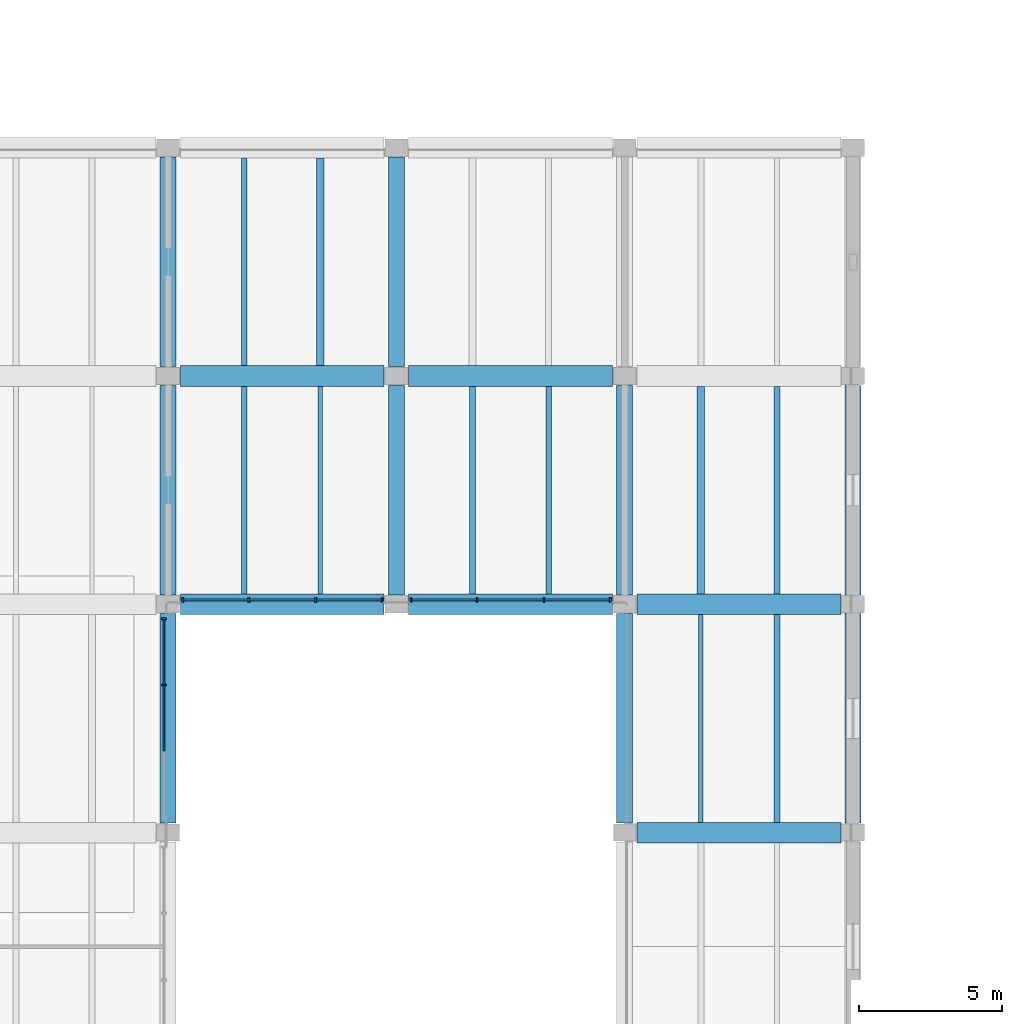
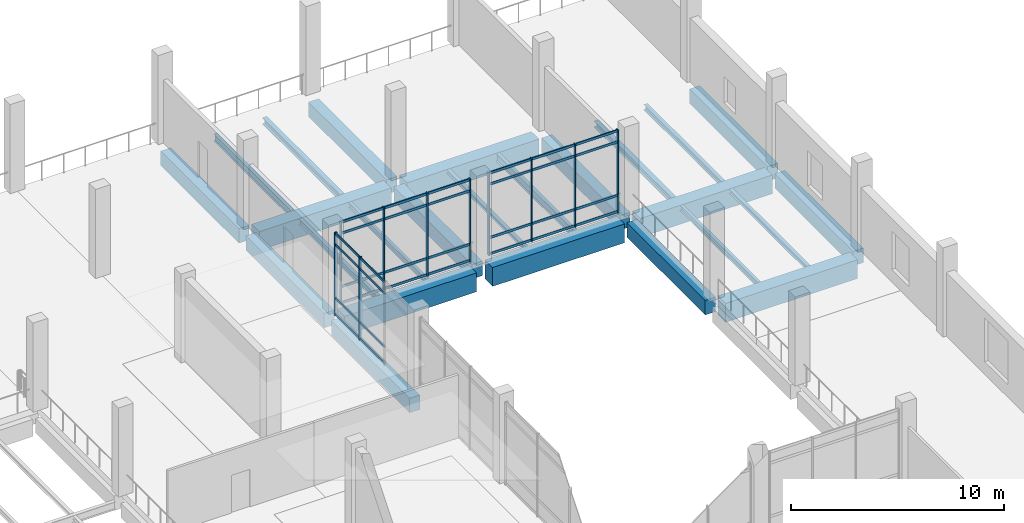
# One storey, part 25 of 61: 42 members, 25 beams, 3 elements without a shape of their own.
"""IFC4 building model written with IfcOpenShell, lengths in metres."""

from ifc_helpers import new_model, si_unit, direction, frame, origin, origin_2d, place, context, subcontext, project, spatial, rectangle, i_section, extrude, material, material_profile, profile_set, type_object, element, aggregate, save


model = new_model("IFC4")

# Units and contexts
model_context = context("Model", 3, precision=1e-05, world=origin(), true_north=direction((0.0, 1.0)))
body_context = subcontext(model_context, "Body", "Model", "MODEL_VIEW")
ifc_project = project(units=[si_unit("LENGTHUNIT", "METRE"), si_unit("AREAUNIT", "SQUARE_METRE"), si_unit("VOLUMEUNIT", "CUBIC_METRE"), si_unit("PLANEANGLEUNIT", "RADIAN"), si_unit("MASSUNIT", "GRAM", prefix="KILO")], contexts=[model_context])

# Site, building, storey
site_placement = place(None, origin())
site = spatial("IfcSite", under=ifc_project, at=site_placement, CompositionType="ELEMENT")
building_placement = place(site_placement, origin())
building = spatial("IfcBuilding", under=site, at=building_placement, Name="Pecanmere Concourse Central Library", CompositionType="ELEMENT")
storey_placement = place(building_placement, frame((0.0, 0.0, 5.39990234375)))
storey = spatial("IfcBuildingStorey", under=building, at=storey_placement, Name="L02", CompositionType="ELEMENT", Elevation=5.39990234375)

# Curtain wall, members
ifc_material_1 = material(Name="Clear anodized aluminium alloy 6063-T6", Category="aluminium")
curtain_wall_type = type_object("IfcCurtainWallType", Name="CW_CLOISTER_GLAZ", PredefinedType="USERDEFINED", material=ifc_material_1)
curtain_wall_1_placement = place(storey_placement, origin())
curtain_wall_1 = element("IfcCurtainWall", 1, at=curtain_wall_1_placement, inside=storey, type_object=curtain_wall_type, Name="Unitised Curtain Wall CW-04 L02-119", ObjectType="UNITISED CURTAIN WALL", PredefinedType="USERDEFINED")
ifc_material_2 = material(Name="Clear anodized aluminium alloy 6063-T6", Category="aluminium")
ifc_material_profile_1 = material_profile(ifc_material_2, rectangle(XDim=0.06005859375, YDim=0.14990234375, at=origin_2d()), Name="AL 60x150")
ifc_profile_set_1 = profile_set([ifc_material_profile_1], Name="Clear anodized aluminium alloy 6063-T6")
member_type_1 = type_object("IfcMemberType", Name="CWM_150x60", PredefinedType="MULLION", material=ifc_profile_set_1)
member_1_placement = place(storey_placement, frame((127.85009765625, 87.17333984375, 0.0), z_axis=(0.0, 0.0, 1.0), x_axis=(0.0, 1.0, 0.0)))
member_1 = element("IfcMember", 2, at=member_1_placement, type_object=member_type_1, Name="CW-04 Mullion 3", PredefinedType="MULLION", context=body_context, shape_type="SweptSolid", body=[
    extrude(rectangle(XDim=0.06005859375, YDim=0.14990234375, at=origin_2d()), origin(), (0.0, 0.0, 1.0), 4.760009765625),
])
member_2_placement = place(storey_placement, frame((127.85009765625, 89.489990234375, 0.0), z_axis=(0.0, 0.0, 1.0), x_axis=(0.0, 1.0, 0.0)))
member_2 = element("IfcMember", 3, at=member_2_placement, type_object=member_type_1, Name="CW-04 Mullion 4", PredefinedType="MULLION", context=body_context, shape_type="SweptSolid", body=[
    extrude(rectangle(XDim=0.06005859375, YDim=0.14990234375, at=origin_2d()), origin(), (0.0, 0.0, 1.0), 4.760009765625),
])

curtain_wall_2_placement = place(storey_placement, origin())
curtain_wall_2 = element("IfcCurtainWall", 4, at=curtain_wall_2_placement, inside=storey, type_object=curtain_wall_type, Name="Unitised Curtain Wall CW-04 L02-122", ObjectType="UNITISED CURTAIN WALL", PredefinedType="USERDEFINED")
member_3_placement = place(storey_placement, frame((135.489990234375, 90.14990234375, 0.0), z_axis=(0.0, 0.0, 1.0), x_axis=(-1.0, 0.0, 0.0)))
member_3 = element("IfcMember", 5, at=member_3_placement, type_object=member_type_1, Name="CW-04 Mullion 1", PredefinedType="MULLION", context=body_context, shape_type="SweptSolid", body=[
    extrude(rectangle(XDim=0.06005859375, YDim=0.14990234375, at=origin_2d()), origin(), (0.0, 0.0, 1.0), 4.760009765625),
])
member_4_placement = place(storey_placement, frame((133.17333984375, 90.14990234375, 0.0), z_axis=(0.0, 0.0, 1.0), x_axis=(-1.0, 0.0, 0.0)))
member_4 = element("IfcMember", 6, at=member_4_placement, type_object=member_type_1, Name="CW-04 Mullion 2", PredefinedType="MULLION", context=body_context, shape_type="SweptSolid", body=[
    extrude(rectangle(XDim=0.06005859375, YDim=0.14990234375, at=origin_2d()), origin(), (0.0, 0.0, 1.0), 4.760009765625),
])
member_5_placement = place(storey_placement, frame((130.82666015625, 90.14990234375, 0.0), z_axis=(0.0, 0.0, 1.0), x_axis=(-1.0, 0.0, 0.0)))
member_5 = element("IfcMember", 7, at=member_5_placement, type_object=member_type_1, Name="CW-04 Mullion 3", PredefinedType="MULLION", context=body_context, shape_type="SweptSolid", body=[
    extrude(rectangle(XDim=0.06005859375, YDim=0.14990234375, at=origin_2d()), origin(), (0.0, 0.0, 1.0), 4.760009765625),
])
member_6_placement = place(storey_placement, frame((128.510009765625, 90.14990234375, 0.0), z_axis=(0.0, 0.0, 1.0), x_axis=(-1.0, 0.0, 0.0)))
member_6 = element("IfcMember", 8, at=member_6_placement, type_object=member_type_1, Name="CW-04 Mullion 4", PredefinedType="MULLION", context=body_context, shape_type="SweptSolid", body=[
    extrude(rectangle(XDim=0.06005859375, YDim=0.14990234375, at=origin_2d()), origin(), (0.0, 0.0, 1.0), 4.760009765625),
])

curtain_wall_3_placement = place(storey_placement, origin())
curtain_wall_3 = element("IfcCurtainWall", 9, at=curtain_wall_3_placement, inside=storey, type_object=curtain_wall_type, Name="Unitised Curtain Wall CW-04 L02-124", ObjectType="UNITISED CURTAIN WALL", PredefinedType="USERDEFINED")
member_7_placement = place(storey_placement, frame((143.489990234375, 90.14990234375, 0.0), z_axis=(0.0, 0.0, 1.0), x_axis=(-1.0, 0.0, 0.0)))
member_7 = element("IfcMember", 10, at=member_7_placement, type_object=member_type_1, Name="CW-04 Mullion 1", PredefinedType="MULLION", context=body_context, shape_type="SweptSolid", body=[
    extrude(rectangle(XDim=0.06005859375, YDim=0.14990234375, at=origin_2d()), origin(), (0.0, 0.0, 1.0), 4.760009765625),
])
member_8_placement = place(storey_placement, frame((141.17333984375, 90.14990234375, 0.0), z_axis=(0.0, 0.0, 1.0), x_axis=(-1.0, 0.0, 0.0)))
member_8 = element("IfcMember", 11, at=member_8_placement, type_object=member_type_1, Name="CW-04 Mullion 2", PredefinedType="MULLION", context=body_context, shape_type="SweptSolid", body=[
    extrude(rectangle(XDim=0.06005859375, YDim=0.14990234375, at=origin_2d()), origin(), (0.0, 0.0, 1.0), 4.760009765625),
])
member_9_placement = place(storey_placement, frame((138.82666015625, 90.14990234375, 0.0), z_axis=(0.0, 0.0, 1.0), x_axis=(-1.0, 0.0, 0.0)))
member_9 = element("IfcMember", 12, at=member_9_placement, type_object=member_type_1, Name="CW-04 Mullion 3", PredefinedType="MULLION", context=body_context, shape_type="SweptSolid", body=[
    extrude(rectangle(XDim=0.06005859375, YDim=0.14990234375, at=origin_2d()), origin(), (0.0, 0.0, 1.0), 4.760009765625),
])
member_10_placement = place(storey_placement, frame((136.510009765625, 90.14990234375, 0.0), z_axis=(0.0, 0.0, 1.0), x_axis=(-1.0, 0.0, 0.0)))
member_10 = element("IfcMember", 13, at=member_10_placement, type_object=member_type_1, Name="CW-04 Mullion 4", PredefinedType="MULLION", context=body_context, shape_type="SweptSolid", body=[
    extrude(rectangle(XDim=0.06005859375, YDim=0.14990234375, at=origin_2d()), origin(), (0.0, 0.0, 1.0), 4.760009765625),
])

# Member
ifc_material_3 = material(Name="Clear anodized aluminium alloy 6063-T6", Category="aluminium")
ifc_material_profile_2 = material_profile(ifc_material_3, rectangle(XDim=0.054931640625, YDim=0.139892578125, at=origin_2d()), Name="AL 55x140")
ifc_profile_set_2 = profile_set([ifc_material_profile_2], Name="Clear anodized aluminium alloy 6063-T6")
member_type_2 = type_object("IfcMemberType", Name="CWT_140x55", PredefinedType="USERDEFINED", material=ifc_profile_set_2)
member_11_placement = place(storey_placement, frame((127.85009765625, 84.856689453125, 0.070068359375), z_axis=(0.0, 1.0, 0.0), x_axis=(-1.0, 0.0, 0.0)))
member_11 = element("IfcMember", 14, at=member_11_placement, type_object=member_type_2, Name="CW-04 Transom 2.1", ObjectType="TRANSOM", PredefinedType="USERDEFINED", context=body_context, shape_type="SweptSolid", body=[
    extrude(rectangle(XDim=0.054931640625, YDim=0.139892578125, at=origin_2d()), origin(), (0.0, 0.0, 1.0), 2.28662109375),
])

member_12_placement = place(storey_placement, frame((127.85009765625, 84.856689453125, 1.0), z_axis=(0.0, 1.0, 0.0), x_axis=(-1.0, 0.0, 0.0)))
member_12 = element("IfcMember", 15, at=member_12_placement, type_object=member_type_2, Name="CW-04 Transom 2.2", ObjectType="TRANSOM", PredefinedType="USERDEFINED", context=body_context, shape_type="SweptSolid", body=[
    extrude(rectangle(XDim=0.054931640625, YDim=0.139892578125, at=origin_2d()), origin(), (0.0, 0.0, 1.0), 2.28662109375),
])

member_13_placement = place(storey_placement, frame((127.85009765625, 84.856689453125, 4.06005859375), z_axis=(0.0, 1.0, 0.0), x_axis=(-1.0, 0.0, 0.0)))
member_13 = element("IfcMember", 16, at=member_13_placement, type_object=member_type_2, Name="CW-04 Transom 2.3", ObjectType="TRANSOM", PredefinedType="USERDEFINED", context=body_context, shape_type="SweptSolid", body=[
    extrude(rectangle(XDim=0.054931640625, YDim=0.139892578125, at=origin_2d()), origin(), (0.0, 0.0, 1.0), 2.28662109375),
])

member_14_placement = place(storey_placement, frame((127.85009765625, 84.856689453125, 4.690185546875), z_axis=(0.0, 1.0, 0.0), x_axis=(-1.0, 0.0, 0.0)))
member_14 = element("IfcMember", 17, at=member_14_placement, type_object=member_type_2, Name="CW-04 Transom 2.4", ObjectType="TRANSOM", PredefinedType="USERDEFINED", context=body_context, shape_type="SweptSolid", body=[
    extrude(rectangle(XDim=0.054931640625, YDim=0.139892578125, at=origin_2d()), origin(), (0.0, 0.0, 1.0), 2.28662109375),
])

member_15_placement = place(storey_placement, frame((127.85009765625, 87.203369140625, 0.070068359375), z_axis=(0.0, 1.0, 0.0), x_axis=(-1.0, 0.0, 0.0)))
member_15 = element("IfcMember", 18, at=member_15_placement, type_object=member_type_2, Name="CW-04 Transom 3.1", ObjectType="TRANSOM", PredefinedType="USERDEFINED", context=body_context, shape_type="SweptSolid", body=[
    extrude(rectangle(XDim=0.054931640625, YDim=0.139892578125, at=origin_2d()), origin(), (0.0, 0.0, 1.0), 2.256591796875),
])

member_16_placement = place(storey_placement, frame((127.85009765625, 87.203369140625, 1.0), z_axis=(0.0, 1.0, 0.0), x_axis=(-1.0, 0.0, 0.0)))
member_16 = element("IfcMember", 19, at=member_16_placement, type_object=member_type_2, Name="CW-04 Transom 3.2", ObjectType="TRANSOM", PredefinedType="USERDEFINED", context=body_context, shape_type="SweptSolid", body=[
    extrude(rectangle(XDim=0.054931640625, YDim=0.139892578125, at=origin_2d()), origin(), (0.0, 0.0, 1.0), 2.256591796875),
])

member_17_placement = place(storey_placement, frame((127.85009765625, 87.203369140625, 4.06005859375), z_axis=(0.0, 1.0, 0.0), x_axis=(-1.0, 0.0, 0.0)))
member_17 = element("IfcMember", 20, at=member_17_placement, type_object=member_type_2, Name="CW-04 Transom 3.3", ObjectType="TRANSOM", PredefinedType="USERDEFINED", context=body_context, shape_type="SweptSolid", body=[
    extrude(rectangle(XDim=0.054931640625, YDim=0.139892578125, at=origin_2d()), origin(), (0.0, 0.0, 1.0), 2.256591796875),
])

member_18_placement = place(storey_placement, frame((127.85009765625, 87.203369140625, 4.690185546875), z_axis=(0.0, 1.0, 0.0), x_axis=(-1.0, 0.0, 0.0)))
member_18 = element("IfcMember", 21, at=member_18_placement, type_object=member_type_2, Name="CW-04 Transom 3.4", ObjectType="TRANSOM", PredefinedType="USERDEFINED", context=body_context, shape_type="SweptSolid", body=[
    extrude(rectangle(XDim=0.054931640625, YDim=0.139892578125, at=origin_2d()), origin(), (0.0, 0.0, 1.0), 2.256591796875),
])

aggregate(curtain_wall_1, [member_1, member_2, member_11, member_12, member_13, member_14, member_15, member_16, member_17, member_18])

member_19_placement = place(storey_placement, frame((135.4599609375, 90.14990234375, 0.070068359375), z_axis=(-1.0, 0.0, 0.0), x_axis=(0.0, -1.0, 0.0)))
member_19 = element("IfcMember", 22, at=member_19_placement, type_object=member_type_2, Name="CW-04 Transom 1.1", ObjectType="TRANSOM", PredefinedType="USERDEFINED", context=body_context, shape_type="SweptSolid", body=[
    extrude(rectangle(XDim=0.054931640625, YDim=0.139892578125, at=origin_2d()), origin(), (0.0, 0.0, 1.0), 2.256591796875),
])

member_20_placement = place(storey_placement, frame((135.4599609375, 90.14990234375, 1.0), z_axis=(-1.0, 0.0, 0.0), x_axis=(0.0, -1.0, 0.0)))
member_20 = element("IfcMember", 23, at=member_20_placement, type_object=member_type_2, Name="CW-04 Transom 1.2", ObjectType="TRANSOM", PredefinedType="USERDEFINED", context=body_context, shape_type="SweptSolid", body=[
    extrude(rectangle(XDim=0.054931640625, YDim=0.139892578125, at=origin_2d()), origin(), (0.0, 0.0, 1.0), 2.256591796875),
])

member_21_placement = place(storey_placement, frame((135.4599609375, 90.14990234375, 4.06005859375), z_axis=(-1.0, 0.0, 0.0), x_axis=(0.0, -1.0, 0.0)))
member_21 = element("IfcMember", 24, at=member_21_placement, type_object=member_type_2, Name="CW-04 Transom 1.3", ObjectType="TRANSOM", PredefinedType="USERDEFINED", context=body_context, shape_type="SweptSolid", body=[
    extrude(rectangle(XDim=0.054931640625, YDim=0.139892578125, at=origin_2d()), origin(), (0.0, 0.0, 1.0), 2.256591796875),
])

member_22_placement = place(storey_placement, frame((135.4599609375, 90.14990234375, 4.690185546875), z_axis=(-1.0, 0.0, 0.0), x_axis=(0.0, -1.0, 0.0)))
member_22 = element("IfcMember", 25, at=member_22_placement, type_object=member_type_2, Name="CW-04 Transom 1.4", ObjectType="TRANSOM", PredefinedType="USERDEFINED", context=body_context, shape_type="SweptSolid", body=[
    extrude(rectangle(XDim=0.054931640625, YDim=0.139892578125, at=origin_2d()), origin(), (0.0, 0.0, 1.0), 2.256591796875),
])

member_23_placement = place(storey_placement, frame((133.143310546875, 90.14990234375, 0.070068359375), z_axis=(-1.0, 0.0, 0.0), x_axis=(0.0, -1.0, 0.0)))
member_23 = element("IfcMember", 26, at=member_23_placement, type_object=member_type_2, Name="CW-04 Transom 2.1", ObjectType="TRANSOM", PredefinedType="USERDEFINED", context=body_context, shape_type="SweptSolid", body=[
    extrude(rectangle(XDim=0.054931640625, YDim=0.139892578125, at=origin_2d()), origin(), (0.0, 0.0, 1.0), 2.28662109375),
])

member_24_placement = place(storey_placement, frame((133.143310546875, 90.14990234375, 1.0), z_axis=(-1.0, 0.0, 0.0), x_axis=(0.0, -1.0, 0.0)))
member_24 = element("IfcMember", 27, at=member_24_placement, type_object=member_type_2, Name="CW-04 Transom 2.2", ObjectType="TRANSOM", PredefinedType="USERDEFINED", context=body_context, shape_type="SweptSolid", body=[
    extrude(rectangle(XDim=0.054931640625, YDim=0.139892578125, at=origin_2d()), origin(), (0.0, 0.0, 1.0), 2.28662109375),
])

member_25_placement = place(storey_placement, frame((133.143310546875, 90.14990234375, 4.06005859375), z_axis=(-1.0, 0.0, 0.0), x_axis=(0.0, -1.0, 0.0)))
member_25 = element("IfcMember", 28, at=member_25_placement, type_object=member_type_2, Name="CW-04 Transom 2.3", ObjectType="TRANSOM", PredefinedType="USERDEFINED", context=body_context, shape_type="SweptSolid", body=[
    extrude(rectangle(XDim=0.054931640625, YDim=0.139892578125, at=origin_2d()), origin(), (0.0, 0.0, 1.0), 2.28662109375),
])

member_26_placement = place(storey_placement, frame((133.143310546875, 90.14990234375, 4.690185546875), z_axis=(-1.0, 0.0, 0.0), x_axis=(0.0, -1.0, 0.0)))
member_26 = element("IfcMember", 29, at=member_26_placement, type_object=member_type_2, Name="CW-04 Transom 2.4", ObjectType="TRANSOM", PredefinedType="USERDEFINED", context=body_context, shape_type="SweptSolid", body=[
    extrude(rectangle(XDim=0.054931640625, YDim=0.139892578125, at=origin_2d()), origin(), (0.0, 0.0, 1.0), 2.28662109375),
])

member_27_placement = place(storey_placement, frame((130.796630859375, 90.14990234375, 0.070068359375), z_axis=(-1.0, 0.0, 0.0), x_axis=(0.0, -1.0, 0.0)))
member_27 = element("IfcMember", 30, at=member_27_placement, type_object=member_type_2, Name="CW-04 Transom 3.1", ObjectType="TRANSOM", PredefinedType="USERDEFINED", context=body_context, shape_type="SweptSolid", body=[
    extrude(rectangle(XDim=0.054931640625, YDim=0.139892578125, at=origin_2d()), origin(), (0.0, 0.0, 1.0), 2.256591796875),
])

member_28_placement = place(storey_placement, frame((130.796630859375, 90.14990234375, 1.0), z_axis=(-1.0, 0.0, 0.0), x_axis=(0.0, -1.0, 0.0)))
member_28 = element("IfcMember", 31, at=member_28_placement, type_object=member_type_2, Name="CW-04 Transom 3.2", ObjectType="TRANSOM", PredefinedType="USERDEFINED", context=body_context, shape_type="SweptSolid", body=[
    extrude(rectangle(XDim=0.054931640625, YDim=0.139892578125, at=origin_2d()), origin(), (0.0, 0.0, 1.0), 2.256591796875),
])

member_29_placement = place(storey_placement, frame((130.796630859375, 90.14990234375, 4.06005859375), z_axis=(-1.0, 0.0, 0.0), x_axis=(0.0, -1.0, 0.0)))
member_29 = element("IfcMember", 32, at=member_29_placement, type_object=member_type_2, Name="CW-04 Transom 3.3", ObjectType="TRANSOM", PredefinedType="USERDEFINED", context=body_context, shape_type="SweptSolid", body=[
    extrude(rectangle(XDim=0.054931640625, YDim=0.139892578125, at=origin_2d()), origin(), (0.0, 0.0, 1.0), 2.256591796875),
])

member_30_placement = place(storey_placement, frame((130.796630859375, 90.14990234375, 4.690185546875), z_axis=(-1.0, 0.0, 0.0), x_axis=(0.0, -1.0, 0.0)))
member_30 = element("IfcMember", 33, at=member_30_placement, type_object=member_type_2, Name="CW-04 Transom 3.4", ObjectType="TRANSOM", PredefinedType="USERDEFINED", context=body_context, shape_type="SweptSolid", body=[
    extrude(rectangle(XDim=0.054931640625, YDim=0.139892578125, at=origin_2d()), origin(), (0.0, 0.0, 1.0), 2.256591796875),
])

aggregate(curtain_wall_2, [member_3, member_4, member_5, member_6, member_19, member_20, member_21, member_22, member_23, member_24, member_25, member_26, member_27, member_28, member_29, member_30])

member_31_placement = place(storey_placement, frame((143.4599609375, 90.14990234375, 0.070068359375), z_axis=(-1.0, 0.0, 0.0), x_axis=(0.0, -1.0, 0.0)))
member_31 = element("IfcMember", 34, at=member_31_placement, type_object=member_type_2, Name="CW-04 Transom 1.1", ObjectType="TRANSOM", PredefinedType="USERDEFINED", context=body_context, shape_type="SweptSolid", body=[
    extrude(rectangle(XDim=0.054931640625, YDim=0.139892578125, at=origin_2d()), origin(), (0.0, 0.0, 1.0), 2.256591796875),
])

member_32_placement = place(storey_placement, frame((143.4599609375, 90.14990234375, 1.0), z_axis=(-1.0, 0.0, 0.0), x_axis=(0.0, -1.0, 0.0)))
member_32 = element("IfcMember", 35, at=member_32_placement, type_object=member_type_2, Name="CW-04 Transom 1.2", ObjectType="TRANSOM", PredefinedType="USERDEFINED", context=body_context, shape_type="SweptSolid", body=[
    extrude(rectangle(XDim=0.054931640625, YDim=0.139892578125, at=origin_2d()), origin(), (0.0, 0.0, 1.0), 2.256591796875),
])

member_33_placement = place(storey_placement, frame((143.4599609375, 90.14990234375, 4.06005859375), z_axis=(-1.0, 0.0, 0.0), x_axis=(0.0, -1.0, 0.0)))
member_33 = element("IfcMember", 36, at=member_33_placement, type_object=member_type_2, Name="CW-04 Transom 1.3", ObjectType="TRANSOM", PredefinedType="USERDEFINED", context=body_context, shape_type="SweptSolid", body=[
    extrude(rectangle(XDim=0.054931640625, YDim=0.139892578125, at=origin_2d()), origin(), (0.0, 0.0, 1.0), 2.256591796875),
])

member_34_placement = place(storey_placement, frame((143.4599609375, 90.14990234375, 4.690185546875), z_axis=(-1.0, 0.0, 0.0), x_axis=(0.0, -1.0, 0.0)))
member_34 = element("IfcMember", 37, at=member_34_placement, type_object=member_type_2, Name="CW-04 Transom 1.4", ObjectType="TRANSOM", PredefinedType="USERDEFINED", context=body_context, shape_type="SweptSolid", body=[
    extrude(rectangle(XDim=0.054931640625, YDim=0.139892578125, at=origin_2d()), origin(), (0.0, 0.0, 1.0), 2.256591796875),
])

member_35_placement = place(storey_placement, frame((141.143310546875, 90.14990234375, 0.070068359375), z_axis=(-1.0, 0.0, 0.0), x_axis=(0.0, -1.0, 0.0)))
member_35 = element("IfcMember", 38, at=member_35_placement, type_object=member_type_2, Name="CW-04 Transom 2.1", ObjectType="TRANSOM", PredefinedType="USERDEFINED", context=body_context, shape_type="SweptSolid", body=[
    extrude(rectangle(XDim=0.054931640625, YDim=0.139892578125, at=origin_2d()), origin(), (0.0, 0.0, 1.0), 2.28662109375),
])

member_36_placement = place(storey_placement, frame((141.143310546875, 90.14990234375, 1.0), z_axis=(-1.0, 0.0, 0.0), x_axis=(0.0, -1.0, 0.0)))
member_36 = element("IfcMember", 39, at=member_36_placement, type_object=member_type_2, Name="CW-04 Transom 2.2", ObjectType="TRANSOM", PredefinedType="USERDEFINED", context=body_context, shape_type="SweptSolid", body=[
    extrude(rectangle(XDim=0.054931640625, YDim=0.139892578125, at=origin_2d()), origin(), (0.0, 0.0, 1.0), 2.28662109375),
])

member_37_placement = place(storey_placement, frame((141.143310546875, 90.14990234375, 4.06005859375), z_axis=(-1.0, 0.0, 0.0), x_axis=(0.0, -1.0, 0.0)))
member_37 = element("IfcMember", 40, at=member_37_placement, type_object=member_type_2, Name="CW-04 Transom 2.3", ObjectType="TRANSOM", PredefinedType="USERDEFINED", context=body_context, shape_type="SweptSolid", body=[
    extrude(rectangle(XDim=0.054931640625, YDim=0.139892578125, at=origin_2d()), origin(), (0.0, 0.0, 1.0), 2.28662109375),
])

member_38_placement = place(storey_placement, frame((141.143310546875, 90.14990234375, 4.690185546875), z_axis=(-1.0, 0.0, 0.0), x_axis=(0.0, -1.0, 0.0)))
member_38 = element("IfcMember", 41, at=member_38_placement, type_object=member_type_2, Name="CW-04 Transom 2.4", ObjectType="TRANSOM", PredefinedType="USERDEFINED", context=body_context, shape_type="SweptSolid", body=[
    extrude(rectangle(XDim=0.054931640625, YDim=0.139892578125, at=origin_2d()), origin(), (0.0, 0.0, 1.0), 2.28662109375),
])

member_39_placement = place(storey_placement, frame((138.796630859375, 90.14990234375, 0.070068359375), z_axis=(-1.0, 0.0, 0.0), x_axis=(0.0, -1.0, 0.0)))
member_39 = element("IfcMember", 42, at=member_39_placement, type_object=member_type_2, Name="CW-04 Transom 3.1", ObjectType="TRANSOM", PredefinedType="USERDEFINED", context=body_context, shape_type="SweptSolid", body=[
    extrude(rectangle(XDim=0.054931640625, YDim=0.139892578125, at=origin_2d()), origin(), (0.0, 0.0, 1.0), 2.256591796875),
])

member_40_placement = place(storey_placement, frame((138.796630859375, 90.14990234375, 1.0), z_axis=(-1.0, 0.0, 0.0), x_axis=(0.0, -1.0, 0.0)))
member_40 = element("IfcMember", 43, at=member_40_placement, type_object=member_type_2, Name="CW-04 Transom 3.2", ObjectType="TRANSOM", PredefinedType="USERDEFINED", context=body_context, shape_type="SweptSolid", body=[
    extrude(rectangle(XDim=0.054931640625, YDim=0.139892578125, at=origin_2d()), origin(), (0.0, 0.0, 1.0), 2.256591796875),
])

member_41_placement = place(storey_placement, frame((138.796630859375, 90.14990234375, 4.06005859375), z_axis=(-1.0, 0.0, 0.0), x_axis=(0.0, -1.0, 0.0)))
member_41 = element("IfcMember", 44, at=member_41_placement, type_object=member_type_2, Name="CW-04 Transom 3.3", ObjectType="TRANSOM", PredefinedType="USERDEFINED", context=body_context, shape_type="SweptSolid", body=[
    extrude(rectangle(XDim=0.054931640625, YDim=0.139892578125, at=origin_2d()), origin(), (0.0, 0.0, 1.0), 2.256591796875),
])

member_42_placement = place(storey_placement, frame((138.796630859375, 90.14990234375, 4.690185546875), z_axis=(-1.0, 0.0, 0.0), x_axis=(0.0, -1.0, 0.0)))
member_42 = element("IfcMember", 45, at=member_42_placement, type_object=member_type_2, Name="CW-04 Transom 3.4", ObjectType="TRANSOM", PredefinedType="USERDEFINED", context=body_context, shape_type="SweptSolid", body=[
    extrude(rectangle(XDim=0.054931640625, YDim=0.139892578125, at=origin_2d()), origin(), (0.0, 0.0, 1.0), 2.256591796875),
])

aggregate(curtain_wall_3, [member_7, member_8, member_9, member_10, member_31, member_32, member_33, member_34, member_35, member_36, member_37, member_38, member_39, member_40, member_41, member_42])

# Beams
ifc_material_4 = material(Name="Concrete C40/50", Category="concrete")
ifc_material_profile_3 = material_profile(ifc_material_4, rectangle(XDim=0.56005859375, YDim=0.830078125, at=origin_2d()), Name="RC 560x830")
ifc_profile_set_3 = profile_set([ifc_material_profile_3], Name="Concrete C40/50")
beam_type_1 = type_object("IfcBeamType", Name="GRD_560x830", PredefinedType="USERDEFINED", material=ifc_profile_set_3)
for number, where, z_axis, x_axis, name in (
    (46, (128.0, 82.330078125, -0.784912109375), (0.0, 1.0, 0.0), (-1.0, 0.0, 0.0), "Primary Girder Y L02-1114"),
    (47, (128.0, 90.330078125, -0.784912109375), (0.0, 1.0, 0.0), (-1.0, 0.0, 0.0), "Primary Girder Y L02-1115"),
    (48, (128.0, 98.330078125, -0.784912109375), (0.0, 1.0, 0.0), (-1.0, 0.0, 0.0), "Primary Girder Y L02-1116"),
    (49, (136.0, 90.330078125, -0.784912109375), (0.0, 1.0, 0.0), (-1.0, 0.0, 0.0), "Primary Girder Y L02-1123"),
    (50, (136.0, 98.330078125, -0.784912109375), (0.0, 1.0, 0.0), (-1.0, 0.0, 0.0), "Primary Girder Y L02-1124"),
    (51, (144.0, 82.330078125, -0.784912109375), (0.0, 1.0, 0.0), (-1.0, 0.0, 0.0), "Primary Girder Y L02-1133"),
    (52, (144.0, 90.330078125, -0.784912109375), (0.0, 1.0, 0.0), (-1.0, 0.0, 0.0), "Primary Girder Y L02-1134"),
    (53, (152.0, 82.330078125, -0.784912109375), (0.0, 1.0, 0.0), (-1.0, 0.0, 0.0), "Primary Girder Y L02-1144"),
    (54, (152.0, 90.330078125, -0.784912109375), (0.0, 1.0, 0.0), (-1.0, 0.0, 0.0), "Primary Girder Y L02-1145"),
):
    element("IfcBeam", number, at=place(storey_placement, frame(where, z_axis=z_axis, x_axis=x_axis)), inside=storey, type_object=beam_type_1, Name=name, ObjectType="GIRDER", PredefinedType="USERDEFINED", context=body_context, shape_type="SweptSolid", body=[
        extrude(rectangle(XDim=0.56005859375, YDim=0.830078125, at=origin_2d()), origin(), (0.0, 0.0, 1.0), 7.33984375),
    ])
ifc_material_5 = material(Name="Concrete C40/50", Category="concrete")
ifc_material_profile_4 = material_profile(ifc_material_5, rectangle(XDim=0.719970703125, YDim=1.080078125, at=origin_2d()), Name="RC 720x1080")
ifc_profile_set_4 = profile_set([ifc_material_profile_4], Name="Concrete C40/50")
beam_type_2 = type_object("IfcBeamType", Name="GRD_720x1080", PredefinedType="USERDEFINED", material=ifc_profile_set_4)
for number, where, z_axis, x_axis, name in (
    (55, (144.429931640625, 82.0, -0.909912109375), (1.0, 0.0, 0.0), (0.0, 1.0, 0.0), "Primary Girder X L02-0908"),
    (56, (128.429931640625, 90.0, -0.909912109375), (1.0, 0.0, 0.0), (0.0, 1.0, 0.0), "Primary Girder X L02-0922"),
    (57, (136.429931640625, 90.0, -0.909912109375), (1.0, 0.0, 0.0), (0.0, 1.0, 0.0), "Primary Girder X L02-0923"),
    (58, (144.429931640625, 90.0, -0.909912109375), (1.0, 0.0, 0.0), (0.0, 1.0, 0.0), "Primary Girder X L02-0924"),
    (59, (128.429931640625, 98.0, -0.909912109375), (1.0, 0.0, 0.0), (0.0, 1.0, 0.0), "Primary Girder X L02-0938"),
    (60, (136.429931640625, 98.0, -0.909912109375), (1.0, 0.0, 0.0), (0.0, 1.0, 0.0), "Primary Girder X L02-0939"),
):
    element("IfcBeam", number, at=place(storey_placement, frame(where, z_axis=z_axis, x_axis=x_axis)), inside=storey, type_object=beam_type_2, Name=name, ObjectType="GIRDER", PredefinedType="USERDEFINED", context=body_context, shape_type="SweptSolid", body=[
        extrude(rectangle(XDim=0.719970703125, YDim=1.080078125, at=origin_2d()), origin(), (0.0, 0.0, 1.0), 7.14013671875),
    ])
ifc_material_6 = material(Name="Structural steel ASTM A992 Grade 50", Category="steel")
ifc_material_profile_5 = material_profile(ifc_material_6, i_section(OverallWidth=0.2041015625, OverallDepth=0.2060546875, WebThickness=0.0078125, FlangeThickness=0.0126953125, at=origin_2d()), Name="W200x52")
ifc_profile_set_5 = profile_set([ifc_material_profile_5], Name="Structural steel ASTM A992 Grade 50")
beam_type_3 = type_object("IfcBeamType", Name="SBM_W200x52", PredefinedType="JOIST", material=ifc_profile_set_5)
beam_1_placement = place(storey_placement, frame((138.666748046875, 90.360107421875, -0.472900390625), z_axis=(0.0, 1.0, 0.0), x_axis=(-1.0, 0.0, 0.0)))
element("IfcBeam", 61, at=beam_1_placement, inside=storey, type_object=beam_type_3, Name="Secondary Floor Joist L02-1422", PredefinedType="JOIST", context=body_context, shape_type="SweptSolid", body=[
    extrude(i_section(OverallWidth=0.2041015625, OverallDepth=0.2060546875, WebThickness=0.0078125, FlangeThickness=0.0126953125, at=origin_2d()), origin(), (0.0, 0.0, 1.0), 7.27978515625),
])
ifc_material_7 = material(Name="Structural steel ASTM A992 Grade 50", Category="steel")
ifc_material_profile_6 = material_profile(ifc_material_7, i_section(OverallWidth=0.201904296875, OverallDepth=0.2470703125, WebThickness=0.00732421875, FlangeThickness=0.010986328125, at=origin_2d()), Name="W250x49.1")
ifc_profile_set_6 = profile_set([ifc_material_profile_6], Name="Structural steel ASTM A992 Grade 50")
beam_type_4 = type_object("IfcBeamType", Name="SBM_W250x49", PredefinedType="JOIST", material=ifc_profile_set_6)
beam_2_placement = place(storey_placement, frame((149.333251953125, 82.360107421875, -0.493408203125), z_axis=(0.0, 1.0, 0.0), x_axis=(-1.0, 0.0, 0.0)))
element("IfcBeam", 62, at=beam_2_placement, inside=storey, type_object=beam_type_4, Name="Secondary Floor Joist L02-1443", PredefinedType="JOIST", context=body_context, shape_type="SweptSolid", body=[
    extrude(i_section(OverallWidth=0.201904296875, OverallDepth=0.2470703125, WebThickness=0.00732421875, FlangeThickness=0.010986328125, at=origin_2d()), origin(), (0.0, 0.0, 1.0), 7.27978515625),
])
ifc_material_8 = material(Name="Structural steel ASTM A992 Grade 50", Category="steel")
ifc_material_profile_7 = material_profile(ifc_material_8, i_section(OverallWidth=0.1669921875, OverallDepth=0.31689453125, WebThickness=0.007568359375, FlangeThickness=0.01318359375, at=origin_2d()), Name="W310x52")
ifc_profile_set_7 = profile_set([ifc_material_profile_7], Name="Structural steel ASTM A992 Grade 50")
beam_type_5 = type_object("IfcBeamType", Name="SBM_W310x52", PredefinedType="JOIST", material=ifc_profile_set_7)
for number, where, z_axis, x_axis, name in (
    (63, (133.333251953125, 90.360107421875, -0.5283203125), (0.0, 1.0, 0.0), (-1.0, 0.0, 0.0), "Secondary Floor Joist L02-1407"),
    (64, (146.666748046875, 82.360107421875, -0.5283203125), (0.0, 1.0, 0.0), (-1.0, 0.0, 0.0), "Secondary Floor Joist L02-1442"),
):
    element("IfcBeam", number, at=place(storey_placement, frame(where, z_axis=z_axis, x_axis=x_axis)), inside=storey, type_object=beam_type_5, Name=name, PredefinedType="JOIST", context=body_context, shape_type="SweptSolid", body=[
        extrude(i_section(OverallWidth=0.1669921875, OverallDepth=0.31689453125, WebThickness=0.007568359375, FlangeThickness=0.01318359375, at=origin_2d()), origin(), (0.0, 0.0, 1.0), 7.27978515625),
    ])
ifc_material_9 = material(Name="Structural steel ASTM A992 Grade 50", Category="steel")
ifc_material_profile_8 = material_profile(ifc_material_9, i_section(OverallWidth=0.205078125, OverallDepth=0.31005859375, WebThickness=0.009521484375, FlangeThickness=0.016357421875, at=origin_2d()), Name="W310x74")
ifc_profile_set_8 = profile_set([ifc_material_profile_8], Name="Structural steel ASTM A992 Grade 50")
beam_type_6 = type_object("IfcBeamType", Name="SBM_W310x74", PredefinedType="BEAM", material=ifc_profile_set_8)
beam_3_placement = place(storey_placement, frame((149.333251953125, 90.360107421875, -0.52490234375), z_axis=(0.0, 1.0, 0.0), x_axis=(-1.0, 0.0, 0.0)))
element("IfcBeam", 65, at=beam_3_placement, inside=storey, type_object=beam_type_6, Name="Secondary Floor Joist L02-1445", PredefinedType="BEAM", context=body_context, shape_type="SweptSolid", body=[
    extrude(i_section(OverallWidth=0.205078125, OverallDepth=0.31005859375, WebThickness=0.009521484375, FlangeThickness=0.016357421875, at=origin_2d()), origin(), (0.0, 0.0, 1.0), 7.27978515625),
])
ifc_material_10 = material(Name="Structural steel ASTM A992 Grade 50", Category="steel")
ifc_material_profile_9 = material_profile(ifc_material_10, i_section(OverallWidth=0.202880859375, OverallDepth=0.346923828125, WebThickness=0.0078125, FlangeThickness=0.013427734375, at=origin_2d()), Name="W360x64")
ifc_profile_set_9 = profile_set([ifc_material_profile_9], Name="Structural steel ASTM A992 Grade 50")
beam_type_7 = type_object("IfcBeamType", Name="SBM_W360x64", PredefinedType="JOIST", material=ifc_profile_set_9)
beam_4_placement = place(storey_placement, frame((130.666748046875, 90.360107421875, -0.54345703125), z_axis=(0.0, 1.0, 0.0), x_axis=(-1.0, 0.0, 0.0)))
element("IfcBeam", 66, at=beam_4_placement, inside=storey, type_object=beam_type_7, Name="Secondary Floor Joist L02-1406", PredefinedType="JOIST", context=body_context, shape_type="SweptSolid", body=[
    extrude(i_section(OverallWidth=0.202880859375, OverallDepth=0.346923828125, WebThickness=0.0078125, FlangeThickness=0.013427734375, at=origin_2d()), origin(), (0.0, 0.0, 1.0), 7.27978515625),
])
ifc_material_11 = material(Name="Structural steel ASTM A992 Grade 50", Category="steel")
ifc_material_profile_10 = material_profile(ifc_material_11, i_section(OverallWidth=0.25390625, OverallDepth=0.35302734375, WebThickness=0.009521484375, FlangeThickness=0.016357421875, at=origin_2d()), Name="W360x91")
ifc_profile_set_10 = profile_set([ifc_material_profile_10], Name="Structural steel ASTM A992 Grade 50")
beam_type_8 = type_object("IfcBeamType", Name="SBM_W360x91", PredefinedType="BEAM", material=ifc_profile_set_10)
for number, where, z_axis, x_axis, name in (
    (67, (133.333251953125, 98.360107421875, -0.54638671875), (0.0, 1.0, 0.0), (-1.0, 0.0, 0.0), "Secondary Floor Joist L02-1409"),
    (68, (146.666748046875, 90.360107421875, -0.54638671875), (0.0, 1.0, 0.0), (-1.0, 0.0, 0.0), "Secondary Floor Joist L02-1444"),
):
    element("IfcBeam", number, at=place(storey_placement, frame(where, z_axis=z_axis, x_axis=x_axis)), inside=storey, type_object=beam_type_8, Name=name, PredefinedType="BEAM", context=body_context, shape_type="SweptSolid", body=[
        extrude(i_section(OverallWidth=0.25390625, OverallDepth=0.35302734375, WebThickness=0.009521484375, FlangeThickness=0.016357421875, at=origin_2d()), origin(), (0.0, 0.0, 1.0), 7.27978515625),
    ])
ifc_material_12 = material(Name="Structural steel ASTM A992 Grade 50", Category="steel")
ifc_material_profile_11 = material_profile(ifc_material_12, i_section(OverallWidth=0.180908203125, OverallDepth=0.4169921875, WebThickness=0.010986328125, FlangeThickness=0.018310546875, at=origin_2d()), Name="W410x85")
ifc_profile_set_11 = profile_set([ifc_material_profile_11], Name="Structural steel ASTM A992 Grade 50")
beam_type_9 = type_object("IfcBeamType", Name="SBM_W410x85", PredefinedType="BEAM", material=ifc_profile_set_11)
beam_5_placement = place(storey_placement, frame((130.666748046875, 98.360107421875, -0.578369140625), z_axis=(0.0, 1.0, 0.0), x_axis=(-1.0, 0.0, 0.0)))
element("IfcBeam", 69, at=beam_5_placement, inside=storey, type_object=beam_type_9, Name="Secondary Floor Joist L02-1408", PredefinedType="BEAM", context=body_context, shape_type="SweptSolid", body=[
    extrude(i_section(OverallWidth=0.180908203125, OverallDepth=0.4169921875, WebThickness=0.010986328125, FlangeThickness=0.018310546875, at=origin_2d()), origin(), (0.0, 0.0, 1.0), 7.27978515625),
])
ifc_material_13 = material(Name="Structural steel ASTM A992 Grade 50", Category="steel")
ifc_material_profile_12 = material_profile(ifc_material_13, i_section(OverallWidth=0.18994140625, OverallDepth=0.45703125, WebThickness=0.009033203125, FlangeThickness=0.014404296875, at=origin_2d()), Name="W460x74")
ifc_profile_set_12 = profile_set([ifc_material_profile_12], Name="Structural steel ASTM A992 Grade 50")
beam_type_10 = type_object("IfcBeamType", Name="SBM_W460x74", PredefinedType="BEAM", material=ifc_profile_set_12)
beam_6_placement = place(storey_placement, frame((141.333251953125, 90.360107421875, -0.598388671875), z_axis=(0.0, 1.0, 0.0), x_axis=(-1.0, 0.0, 0.0)))
element("IfcBeam", 70, at=beam_6_placement, inside=storey, type_object=beam_type_10, Name="Secondary Floor Joist L02-1423", PredefinedType="BEAM", context=body_context, shape_type="SweptSolid", body=[
    extrude(i_section(OverallWidth=0.18994140625, OverallDepth=0.45703125, WebThickness=0.009033203125, FlangeThickness=0.014404296875, at=origin_2d()), origin(), (0.0, 0.0, 1.0), 7.27978515625),
])

save(model, "model.ifc")
